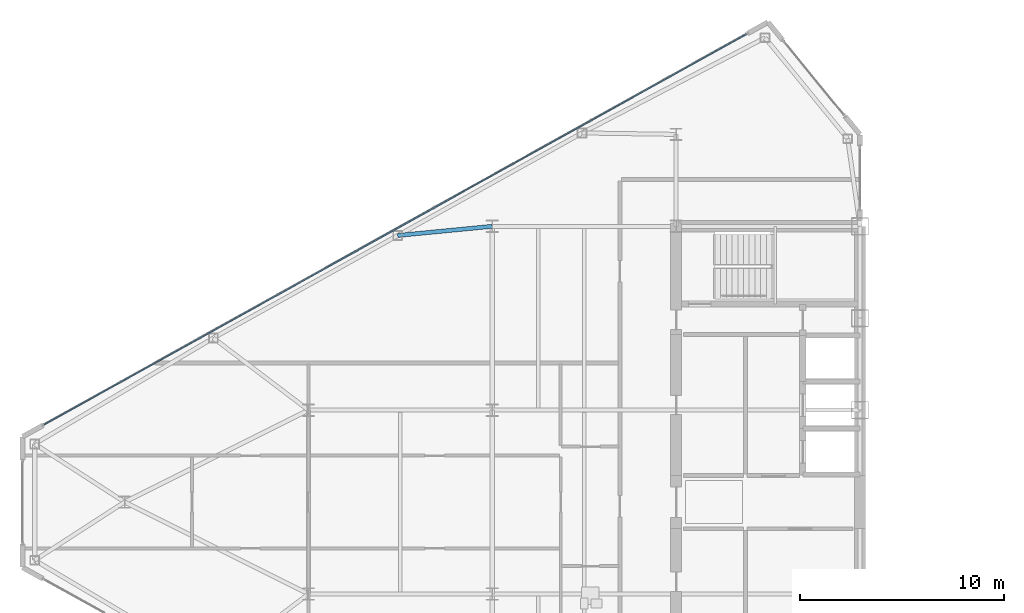
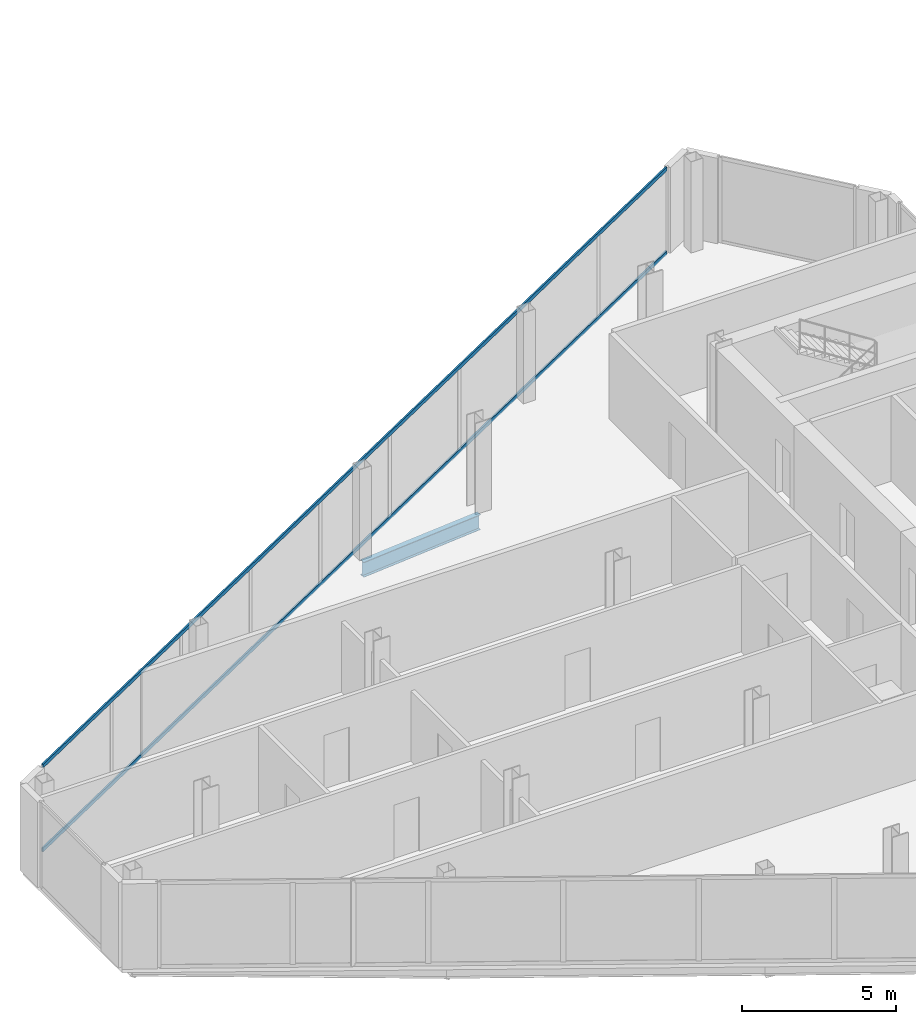
# One storey, part 9 of 25: 2 members, 1 beam, 1 element without a shape of its own.
"""IFC4 building model written with IfcOpenShell, lengths in metres."""

from ifc_helpers import new_model, si_unit, direction, frame, origin, origin_2d, place, context, subcontext, project, spatial, rectangle, i_section, extrude, source, transform, mapped, material, layer, layer_set, material_profile, profile_set, type_object, type_shapes, element, aggregate, save


model = new_model("IFC4")

# Units and contexts
model_context = context("Model", 3, precision=1e-05, world=origin(), true_north=direction((0.0, 1.0)))
body_context = subcontext(model_context, "Body", "Model", "MODEL_VIEW")
ifc_project = project(units=[si_unit("LENGTHUNIT", "METRE"), si_unit("AREAUNIT", "SQUARE_METRE"), si_unit("VOLUMEUNIT", "CUBIC_METRE"), si_unit("PLANEANGLEUNIT", "RADIAN"), si_unit("MASSUNIT", "GRAM", prefix="KILO")], contexts=[model_context])

# Site, building, storey
site_placement = place(None, origin())
site = spatial("IfcSite", under=ifc_project, at=site_placement, CompositionType="ELEMENT")
building_placement = place(site_placement, origin())
building = spatial("IfcBuilding", under=site, at=building_placement, Name="Seokmaru Belvedere", CompositionType="ELEMENT")
storey_placement = place(building_placement, frame((0.0, 0.0, 185.10009765625)))
storey = spatial("IfcBuildingStorey", under=building, at=storey_placement, Name="L49", CompositionType="ELEMENT", Elevation=185.10009765625)

# Beam
ifc_material_1 = material(Name="Steel SM355 (355 MPa)", Category="steel")
ifc_material_profile_1 = material_profile(ifc_material_1, i_section(OverallWidth=0.199951171875, OverallDepth=0.60009765625, WebThickness=0.010986328125, FlangeThickness=0.01708984375, at=origin_2d()), Name="H-600x200x11x17")
ifc_profile_set_1 = profile_set([ifc_material_profile_1], Name="Steel SM355 (355 MPa)")
beam_type = type_object("IfcBeamType", Name="Primary Floor Girder H-600", PredefinedType="BEAM", material=ifc_profile_set_1)
shared_shape_1 = source(origin(), body_context, "Body", "SweptSolid", [
    extrude(i_section(OverallWidth=0.199951171875, OverallDepth=0.60009765625, WebThickness=0.010986328125, FlangeThickness=0.01708984375, at=origin_2d()), origin(), (0.0, 0.0, 1.0), 4.65087890625),
])
type_shapes(beam_type, [shared_shape_1])
beam_placement = place(storey_placement, frame((-50.129150390625, 13.051025390625, -0.52001953125), z_axis=(0.995329534874, 0.09653557379, 0.0), x_axis=(-0.09653557379, 0.995329534874, 0.0)))
element("IfcBeam", 1, at=beam_placement, inside=storey, type_object=beam_type, Name="L49 W Flank Radial Floor Girder N-2", PredefinedType="BEAM", context=body_context, shape_type="MappedRepresentation", body=[
    mapped(shared_shape_1, transform((0.0, 0.0, 0.0), scale=1.0)),
])

# Curtain wall, members
ifc_material_2 = material(Name="Bronze Triple Insulating Glass", Category="glass")
ifc_layer = layer(ifc_material_2, 0.179931640625)
ifc_layer_set = layer_set([ifc_layer], Name="Bronze Triple Insulating Glass")
curtain_wall_type = type_object("IfcCurtainWallType", Name="High-Rise Wind-Corner Curtain Wall System CW-5", PredefinedType="NOTDEFINED", material=ifc_layer_set)
curtain_wall_placement = place(storey_placement, origin())
curtain_wall = element("IfcCurtainWall", 2, at=curtain_wall_placement, inside=storey, type_object=curtain_wall_type, Name="L49 Curtain Wall WF3", PredefinedType="NOTDEFINED")
ifc_material_3 = material(Name="Anodised Bronze Aluminium", Category="aluminium")
ifc_material_profile_2 = material_profile(ifc_material_3, rectangle(XDim=0.06494140625, YDim=0.14990234375, at=origin_2d()), Name="CW-T-65x150")
ifc_profile_set_2 = profile_set([ifc_material_profile_2], Name="Anodised Bronze Aluminium")
member_type = type_object("IfcMemberType", Name="Bronze Unitised Transom 65x150", PredefinedType="USERDEFINED", material=ifc_profile_set_2)
shared_shape_2 = source(origin(), body_context, "Body", "SweptSolid", [
    extrude(rectangle(XDim=0.06494140625, YDim=0.14990234375, at=origin_2d()), origin(), (0.0, 0.0, 1.0), 39.33544921875),
])
type_shapes(member_type, [shared_shape_2])
member_1_placement = place(storey_placement, frame((-33.061767578125, 22.909423828125, 0.032470703125), z_axis=(-0.873932045133, -0.486048125693, 0.0), x_axis=(0.486048125693, -0.873932045133, 0.0)))
member_1 = element("IfcMember", 3, at=member_1_placement, type_object=member_type, Name="CW:L49:WF3 Continuous Transom 1", ObjectType="TRANSOM", PredefinedType="USERDEFINED", context=body_context, shape_type="MappedRepresentation", body=[
    mapped(shared_shape_2, transform((0.0, 0.0, 0.0), scale=1.0)),
])
member_2_placement = place(storey_placement, frame((-33.061767578125, 22.909423828125, 3.347412109375), z_axis=(-0.873932045133, -0.486048125693, 0.0), x_axis=(0.486048125693, -0.873932045133, 0.0)))
member_2 = element("IfcMember", 4, at=member_2_placement, type_object=member_type, Name="CW:L49:WF3 Continuous Transom 2", ObjectType="TRANSOM", PredefinedType="USERDEFINED", context=body_context, shape_type="MappedRepresentation", body=[
    mapped(shared_shape_2, transform((0.0, 0.0, 0.0), scale=1.0)),
])
aggregate(curtain_wall, [member_1, member_2])

save(model, "model.ifc")
